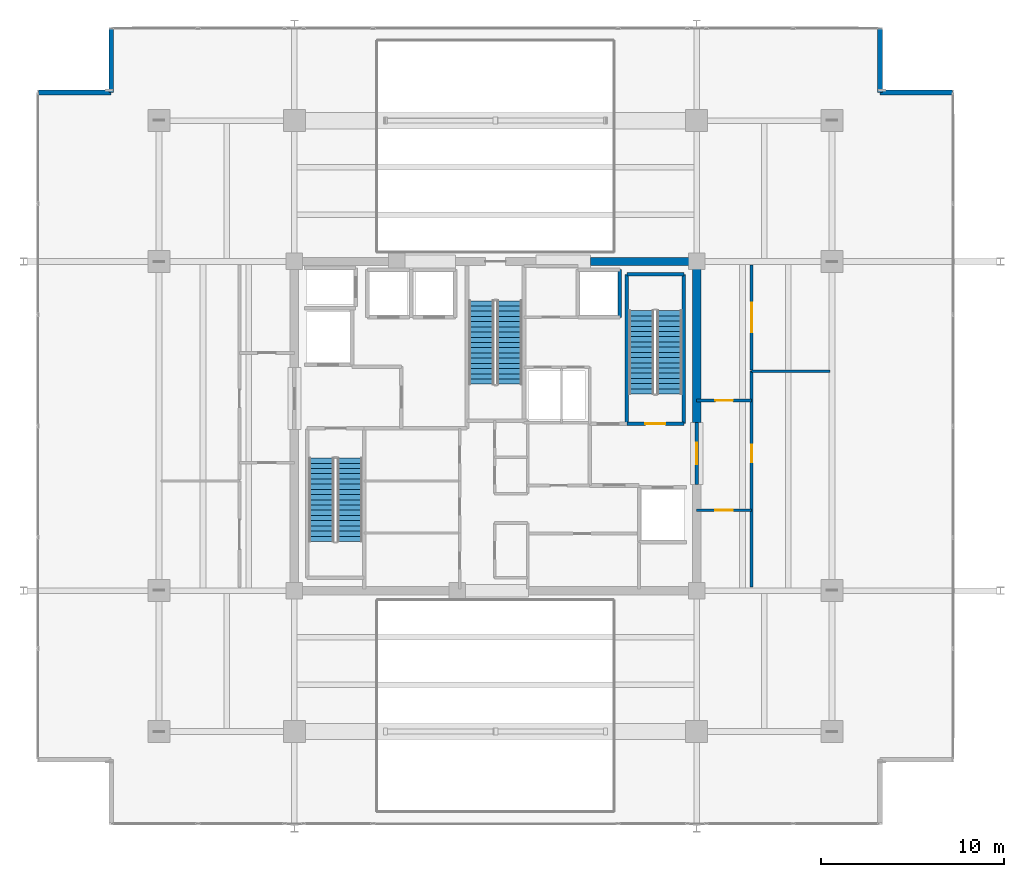
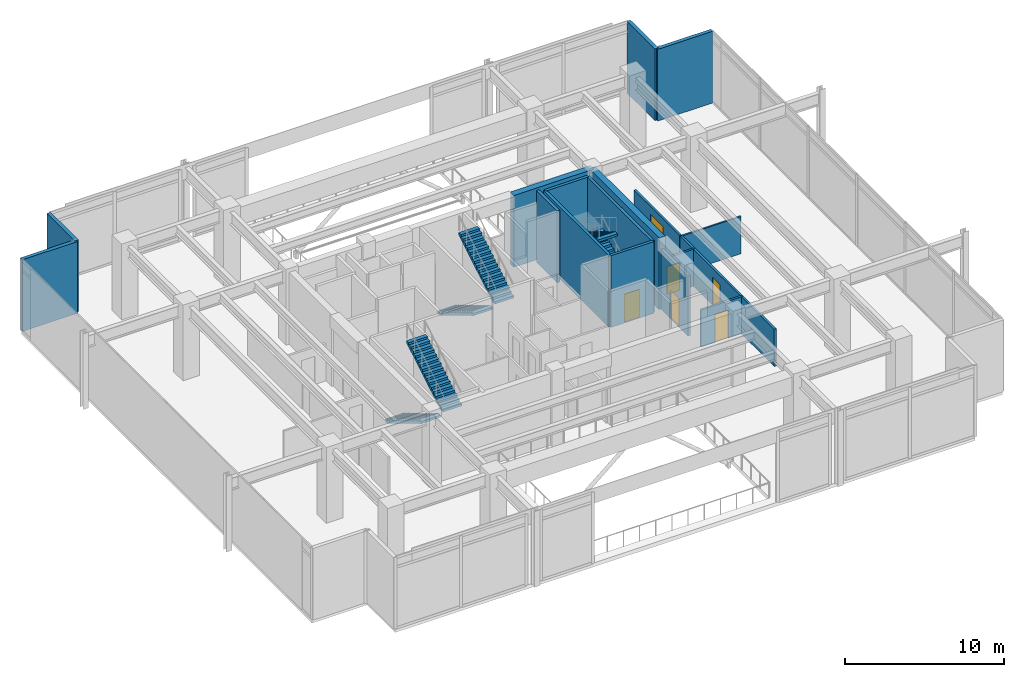
# One storey, part 23 of 25: 17 walls, 6 doors, 6 stair flights, 6 openings, 3 elements without a shape of their own.
"""IFC4 building model written with IfcOpenShell, lengths in metres."""

from ifc_helpers import new_model, si_unit, direction, frame, frame_2d, origin, place, context, subcontext, project, spatial, polyline, rectangle, outline, extrude, material, layer, layer_set, type_object, element, fill, aggregate, save


model = new_model("IFC4")

# Units and contexts
model_context = context("Model", 3, precision=1e-05, world=origin(), true_north=direction((0.0, 1.0)))
body_context = subcontext(model_context, "Body", "Model", "MODEL_VIEW")
ifc_project = project(units=[si_unit("LENGTHUNIT", "METRE"), si_unit("AREAUNIT", "SQUARE_METRE"), si_unit("VOLUMEUNIT", "CUBIC_METRE"), si_unit("PLANEANGLEUNIT", "RADIAN"), si_unit("MASSUNIT", "GRAM", prefix="KILO")], contexts=[model_context])

# Site, building, storey
site_placement = place(None, origin())
site = spatial("IfcSite", under=ifc_project, at=site_placement, CompositionType="ELEMENT")
building_placement = place(site_placement, origin())
building = spatial("IfcBuilding", under=site, at=building_placement, Name="Kovane Verandah Tower", CompositionType="ELEMENT")
storey_placement = place(building_placement, frame((0.0, 0.0, 295.199951171875)))
storey = spatial("IfcBuildingStorey", under=building, at=storey_placement, Name="L69", CompositionType="ELEMENT", Elevation=295.199951171875)

# Wall, opening, door
ifc_material_1 = material(Name="Fire-Rated Gypsum Stud Partition", Category="gypsum")
ifc_layer_1 = layer(ifc_material_1, 0.14990234375)
ifc_layer_set_1 = layer_set([ifc_layer_1], Name="Fire-Rated Gypsum Stud Partition")
wall_type_1 = type_object("IfcWallType", Name="WL-COR-150", PredefinedType="PARTITIONING", material=ifc_layer_set_1)
wall_1_placement = place(storey_placement, frame((51.0, 22.89990234375, 0.0), z_axis=(0.0, 0.0, 1.0), x_axis=(1.0, 0.0, 0.0)))
wall_1 = element("IfcWall", 1, at=wall_1_placement, inside=storey, type_object=wall_type_1, Name="L69 East Refuge Lobby South Fire Wall", PredefinedType="PARTITIONING", context=body_context, shape_type="SweptSolid", body=[
    extrude(rectangle(XDim=3.0, YDim=0.14990234375, at=frame_2d((1.5, 0.0))), origin(), (0.0, 0.0, 1.0), 2.85009765625),
])
opening_1_placement = place(wall_1_placement, frame((1.02490234375, 0.0, 0.0)))
opening_1 = element("IfcOpeningElement", 2, at=opening_1_placement, cuts=wall_1, Name="Opening DR-L69-007", PredefinedType="OPENING", context=body_context, shape_type="SweptSolid", body=[
    extrude(rectangle(XDim=0.949951171875, YDim=2.14990234375, at=frame_2d((0.47509765625, 1.074951171875))), frame((0.0, 0.074951171875, 0.0), z_axis=(0.0, -1.0, 0.0), x_axis=(1.0, 0.0, 0.0)), (0.0, 0.0, 1.0), 0.14990234375),
])
ifc_material_2 = material(Name="Fire-Rated Steel Refuge and Lobby Door", Category="steel")
door_type_1 = type_object("IfcDoorType", Name="DR-FIRE-950", OperationType="SINGLE_SWING_LEFT", PredefinedType="DOOR", material=ifc_material_2)
door_1_placement = place(opening_1_placement, origin())
door_1 = element("IfcDoor", 3, at=door_1_placement, inside=storey, type_object=door_type_1, Name="L69 East Refuge Lobby South Fire Door", OperationType="SINGLE_SWING_RIGHT", OverallHeight=2.14990234375, OverallWidth=0.949951171875, PredefinedType="DOOR", context=body_context, shape_type="SweptSolid", body=[
    extrude(rectangle(XDim=0.949951171875, YDim=2.14990234375, at=frame_2d((0.47509765625, 1.074951171875))), frame((0.0, 0.02490234375, 0.0), z_axis=(0.0, -1.0, 0.0), x_axis=(1.0, 0.0, 0.0)), (0.0, 0.0, 1.0), 0.050048828125),
])
fill(opening_1, door_1)

wall_2_placement = place(storey_placement, frame((51.0, 28.89990234375, 0.0), z_axis=(0.0, 0.0, 1.0), x_axis=(1.0, 0.0, 0.0)))
wall_2 = element("IfcWall", 4, at=wall_2_placement, inside=storey, type_object=wall_type_1, Name="L69 East Refuge Lobby North Fire Wall", PredefinedType="PARTITIONING", context=body_context, shape_type="SweptSolid", body=[
    extrude(rectangle(XDim=3.0, YDim=0.14990234375, at=frame_2d((1.5, 0.0))), origin(), (0.0, 0.0, 1.0), 2.85009765625),
])
opening_2_placement = place(wall_2_placement, frame((1.02490234375, 0.0, 0.0)))
opening_2 = element("IfcOpeningElement", 5, at=opening_2_placement, cuts=wall_2, Name="Opening DR-L69-006", PredefinedType="OPENING", context=body_context, shape_type="SweptSolid", body=[
    extrude(rectangle(XDim=0.949951171875, YDim=2.14990234375, at=frame_2d((0.47509765625, 1.074951171875))), frame((0.0, 0.074951171875, 0.0), z_axis=(0.0, -1.0, 0.0), x_axis=(1.0, 0.0, 0.0)), (0.0, 0.0, 1.0), 0.14990234375),
])
door_2_placement = place(opening_2_placement, origin())
door_2 = element("IfcDoor", 6, at=door_2_placement, inside=storey, type_object=door_type_1, Name="L69 East Refuge Lobby North Fire Door", OperationType="SINGLE_SWING_LEFT", OverallHeight=2.14990234375, OverallWidth=0.949951171875, PredefinedType="DOOR", context=body_context, shape_type="SweptSolid", body=[
    extrude(rectangle(XDim=0.949951171875, YDim=2.14990234375, at=frame_2d((0.47509765625, 1.074951171875))), frame((0.0, 0.02490234375, 0.0), z_axis=(0.0, -1.0, 0.0), x_axis=(1.0, 0.0, 0.0)), (0.0, 0.0, 1.0), 0.050048828125),
])
fill(opening_2, door_2)

wall_3_placement = place(storey_placement, frame((54.0, 18.699951171875, 0.0), z_axis=(0.0, 0.0, 1.0), x_axis=(0.0, 1.0, 0.0)))
wall_3 = element("IfcWall", 7, at=wall_3_placement, inside=storey, type_object=wall_type_1, Name="L69 Open-Sided Refuge Area East Corridor Partition", PredefinedType="PARTITIONING", context=body_context, shape_type="SweptSolid", body=[
    extrude(rectangle(XDim=11.800048828125, YDim=0.14990234375, at=frame_2d((5.89990234375, 0.0))), origin(), (0.0, 0.0, 1.0), 2.85009765625),
])
opening_3_placement = place(wall_3_placement, frame((6.824951171875, 0.0, 0.0)))
opening_3 = element("IfcOpeningElement", 8, at=opening_3_placement, cuts=wall_3, Name="Opening DR-L69-015", PredefinedType="OPENING", context=body_context, shape_type="SweptSolid", body=[
    extrude(rectangle(XDim=0.949951171875, YDim=2.14990234375, at=frame_2d((0.47509765625, 1.074951171875))), frame((0.0, 0.074951171875, 0.0), z_axis=(0.0, -1.0, 0.0), x_axis=(1.0, 0.0, 0.0)), (0.0, 0.0, 1.0), 0.14990234375),
])
door_3_placement = place(opening_3_placement, origin())
door_3 = element("IfcDoor", 9, at=door_3_placement, inside=storey, type_object=door_type_1, Name="L69 Open-Sided Refuge Area East Entrance Door", OperationType="SINGLE_SWING_RIGHT", OverallHeight=2.14990234375, OverallWidth=0.949951171875, PredefinedType="DOOR", context=body_context, shape_type="SweptSolid", body=[
    extrude(rectangle(XDim=0.949951171875, YDim=2.14990234375, at=frame_2d((0.47509765625, 1.074951171875))), frame((0.0, 0.02490234375, 0.0), z_axis=(0.0, -1.0, 0.0), x_axis=(1.0, 0.0, 0.0)), (0.0, 0.0, 1.0), 0.050048828125),
])
fill(opening_3, door_3)

wall_4_placement = place(storey_placement, frame((54.0, 30.570068359375, 0.0), z_axis=(0.0, 0.0, 1.0), x_axis=(0.0, 1.0, 0.0)))
wall_4 = element("IfcWall", 10, at=wall_4_placement, inside=storey, type_object=wall_type_1, Name="L69 Pressurisation Fan Plant Room East Corridor Partition", PredefinedType="PARTITIONING", context=body_context, shape_type="SweptSolid", body=[
    extrude(rectangle(XDim=5.72998046875, YDim=0.14990234375, at=frame_2d((2.864990234375, 0.0))), origin(), (0.0, 0.0, 1.0), 2.85009765625),
])
opening_4_placement = place(wall_4_placement, frame((2.06494140625, 0.0, 0.0)))
opening_4 = element("IfcOpeningElement", 11, at=opening_4_placement, cuts=wall_4, Name="Opening DR-L69-013", PredefinedType="OPENING", context=body_context, shape_type="SweptSolid", body=[
    extrude(rectangle(XDim=1.60009765625, YDim=2.25, at=frame_2d((0.800048828125, 1.125))), frame((0.0, 0.074951171875, 0.0), z_axis=(0.0, -1.0, 0.0), x_axis=(1.0, 0.0, 0.0)), (0.0, 0.0, 1.0), 0.14990234375),
])
ifc_material_3 = material(Name="Louvred Acoustic Steel Double Plant Door", Category="steel")
door_type_2 = type_object("IfcDoorType", Name="DR-PLANT-1600", OperationType="DOUBLE_DOOR_SINGLE_SWING", PredefinedType="DOOR", material=ifc_material_3)
door_4_placement = place(opening_4_placement, origin())
door_4 = element("IfcDoor", 12, at=door_4_placement, inside=storey, type_object=door_type_2, Name="L69 Pressurisation Fan Plant Room East Entrance Door", OperationType="DOUBLE_DOOR_SINGLE_SWING", OverallHeight=2.25, OverallWidth=1.60009765625, PredefinedType="DOOR", context=body_context, shape_type="SweptSolid", body=[
    extrude(rectangle(XDim=1.60009765625, YDim=2.25, at=frame_2d((0.800048828125, 1.125))), frame((0.0, 0.02490234375, 0.0), z_axis=(0.0, -1.0, 0.0), x_axis=(1.0, 0.0, 0.0)), (0.0, 0.0, 1.0), 0.050048828125),
])
fill(opening_4, door_4)

# Walls
ifc_material_4 = material(Name="Concrete C60/75", Category="concrete")
ifc_layer_2 = layer(ifc_material_4, 0.449951171875)
ifc_layer_set_2 = layer_set([ifc_layer_2], Name="Concrete C60/75")
wall_type_2 = type_object("IfcWallType", Name="WL-CORE-450", PredefinedType="SHEAR", material=ifc_layer_set_2)
wall_5_placement = place(storey_placement, frame((45.199951171875, 36.5, 0.0), z_axis=(0.0, 0.0, 1.0), x_axis=(1.0, 0.0, 0.0)))
element("IfcWall", 13, at=wall_5_placement, inside=storey, type_object=wall_type_2, Name="L69 Core Shear Wall CN-3", PredefinedType="SHEAR", context=body_context, shape_type="SweptSolid", body=[
    extrude(rectangle(XDim=5.800048828125, YDim=0.449951171875, at=frame_2d((2.89990234375, 0.0))), origin(), (0.0, 0.0, 1.0), 5.5),
])
wall_6_placement = place(storey_placement, frame((51.0, 27.699951171875, 0.0), z_axis=(0.0, 0.0, 1.0), x_axis=(0.0, 1.0, 0.0)))
element("IfcWall", 14, at=wall_6_placement, inside=storey, type_object=wall_type_2, Name="L69 Core Shear Wall CE-2", PredefinedType="SHEAR", context=body_context, shape_type="SweptSolid", body=[
    extrude(rectangle(XDim=8.800048828125, YDim=0.449951171875, at=frame_2d((4.39990234375, 0.0))), origin(), (0.0, 0.0, 1.0), 5.5),
])

# Wall, opening, door
ifc_material_5 = material(Name="Concrete C45/55 Fire Wall", Category="concrete")
ifc_layer_3 = layer(ifc_material_5, 0.199951171875)
ifc_layer_set_3 = layer_set([ifc_layer_3], Name="Concrete C45/55 Fire Wall")
wall_type_3 = type_object("IfcWallType", Name="WL-FFL-200", PredefinedType="PARTITIONING", material=ifc_layer_set_3)
wall_7_placement = place(storey_placement, frame((51.0, 24.300048828125, 0.0), z_axis=(0.0, 0.0, 1.0), x_axis=(0.0, 1.0, 0.0)))
wall_7 = element("IfcWall", 15, at=wall_7_placement, inside=storey, type_object=wall_type_3, Name="W-L69-FFLE-OUT", PredefinedType="PARTITIONING", context=body_context, shape_type="SweptSolid", body=[
    extrude(rectangle(XDim=3.39990234375, YDim=0.199951171875, at=frame_2d((1.699951171875, 0.0))), origin(), (0.0, 0.0, 1.0), 4.580078125),
])
opening_5_placement = place(wall_7_placement, frame((1.125, 0.0, 0.0)))
opening_5 = element("IfcOpeningElement", 16, at=opening_5_placement, cuts=wall_7, Name="Opening DR-L69-003", PredefinedType="OPENING", context=body_context, shape_type="SweptSolid", body=[
    extrude(rectangle(XDim=1.14990234375, YDim=2.199951171875, at=frame_2d((0.574951171875, 1.10009765625))), frame((0.0, 0.10009765625, 0.0), z_axis=(0.0, -1.0, 0.0), x_axis=(1.0, 0.0, 0.0)), (0.0, 0.0, 1.0), 0.199951171875),
])
ifc_material_6 = material(Name="Smoke-Sealed Firefighting Lobby Door", Category="steel")
door_type_3 = type_object("IfcDoorType", Name="DR-FFL-1150", OperationType="SINGLE_SWING_LEFT", PredefinedType="DOOR", material=ifc_material_6)
door_5_placement = place(opening_5_placement, origin())
door_5 = element("IfcDoor", 17, at=door_5_placement, inside=storey, type_object=door_type_3, Name="L69 East Firefighting Lobby Corridor Door", OperationType="SINGLE_SWING_LEFT", OverallHeight=2.199951171875, OverallWidth=1.14990234375, PredefinedType="DOOR", context=body_context, shape_type="SweptSolid", body=[
    extrude(rectangle(XDim=1.14990234375, YDim=2.199951171875, at=frame_2d((0.574951171875, 1.10009765625))), frame((0.0, 0.02490234375, 0.0), z_axis=(0.0, -1.0, 0.0), x_axis=(1.0, 0.0, 0.0)), (0.0, 0.0, 1.0), 0.050048828125),
])
fill(opening_5, door_5)

# Walls
ifc_material_7 = material(Name="Concrete C45/55 Lift Shaft Wall", Category="concrete")
ifc_layer_4 = layer(ifc_material_7, 0.199951171875)
ifc_layer_set_4 = layer_set([ifc_layer_4], Name="Concrete C45/55 Lift Shaft Wall")
wall_type_4 = type_object("IfcWallType", Name="WL-LIFT-200", PredefinedType="SOLIDWALL", material=ifc_layer_set_4)
wall_8_placement = place(storey_placement, frame((46.800048828125, 33.449951171875, 0.0), z_axis=(0.0, 0.0, 1.0), x_axis=(0.0, 1.0, 0.0)))
element("IfcWall", 18, at=wall_8_placement, inside=storey, type_object=wall_type_4, Name="L69 Lift OL-01 E Shaft Wall", PredefinedType="SOLIDWALL", context=body_context, shape_type="SweptSolid", body=[
    extrude(rectangle(XDim=2.60009765625, YDim=0.199951171875, at=frame_2d((1.300048828125, 0.0))), origin(), (0.0, 0.0, 1.0), 5.5),
])
ifc_material_8 = material(Name="Acoustic Fire-Rated Gypsum Partition", Category="gypsum")
ifc_layer_5 = layer(ifc_material_8, 0.1201171875)
ifc_layer_set_5 = layer_set([ifc_layer_5], Name="Acoustic Fire-Rated Gypsum Partition")
wall_type_5 = type_object("IfcWallType", Name="WL-PART-120", PredefinedType="PARTITIONING", material=ifc_layer_set_5)
wall_9_placement = place(storey_placement, frame((54.0, 30.5, 0.0), z_axis=(0.0, 0.0, 1.0), x_axis=(1.0, 0.0, 0.0)))
element("IfcWall", 19, at=wall_9_placement, inside=storey, type_object=wall_type_5, Name="L69 Open-Sided Refuge Area East Dividing Partition", PredefinedType="PARTITIONING", context=body_context, shape_type="SweptSolid", body=[
    extrude(rectangle(XDim=4.300048828125, YDim=0.1201171875, at=frame_2d((2.14990234375, 0.0))), origin(), (0.0, 0.0, 1.0), 2.85009765625),
])
ifc_material_9 = material(Name="Concrete C45/55", Category="concrete")
ifc_layer_6 = layer(ifc_material_9, 0.199951171875)
ifc_layer_set_6 = layer_set([ifc_layer_6], Name="Concrete C45/55")
wall_type_6 = type_object("IfcWallType", Name="WL-SHAFT-200", PredefinedType="SOLIDWALL", material=ifc_layer_set_6)
wall_10_placement = place(storey_placement, frame((50.300048828125, 27.64990234375, 0.0), z_axis=(0.0, 0.0, 1.0), x_axis=(0.0, 1.0, 0.0)))
element("IfcWall", 20, at=wall_10_placement, inside=storey, type_object=wall_type_6, Name="W-L69-ST02-E", PredefinedType="SOLIDWALL", context=body_context, shape_type="SweptSolid", body=[
    extrude(rectangle(XDim=8.150146484375, YDim=0.199951171875, at=frame_2d((4.0751953125, 0.0))), origin(), (0.0, 0.0, 1.0), 5.5),
])
wall_11_placement = place(storey_placement, frame((47.179931640625, 35.800048828125, 0.0), z_axis=(0.0, 0.0, 1.0), x_axis=(1.0, 0.0, 0.0)))
element("IfcWall", 21, at=wall_11_placement, inside=storey, type_object=wall_type_6, Name="W-L69-ST02-N", PredefinedType="SOLIDWALL", context=body_context, shape_type="SweptSolid", body=[
    extrude(rectangle(XDim=3.1201171875, YDim=0.199951171875, at=frame_2d((1.56005859375, 0.0))), origin(), (0.0, 0.0, 1.0), 5.5),
])
wall_12_placement = place(storey_placement, frame((47.179931640625, 27.6201171875, 0.0), z_axis=(0.0, 0.0, 1.0), x_axis=(0.0, 1.0, 0.0)))
element("IfcWall", 22, at=wall_12_placement, inside=storey, type_object=wall_type_6, Name="W-L69-ST02-W", PredefinedType="SOLIDWALL", context=body_context, shape_type="SweptSolid", body=[
    extrude(rectangle(XDim=8.179931640625, YDim=0.199951171875, at=frame_2d((4.08984375, 0.0))), origin(), (0.0, 0.0, 1.0), 5.5),
])

# Wall, opening, door
wall_13_placement = place(storey_placement, frame((47.179931640625, 27.6201171875, 0.0), z_axis=(0.0, 0.0, 1.0), x_axis=(1.0, 0.0, 0.0)))
wall_13 = element("IfcWall", 23, at=wall_13_placement, inside=storey, type_object=wall_type_6, Name="W-L69-ST02-S", PredefinedType="SOLIDWALL", context=body_context, shape_type="SweptSolid", body=[
    extrude(rectangle(XDim=3.1201171875, YDim=0.199951171875, at=frame_2d((1.56005859375, 0.0))), origin(), (0.0, 0.0, 1.0), 5.5),
])
opening_6_placement = place(wall_13_placement, frame((1.010009765625, 0.0, 0.0)))
opening_6 = element("IfcOpeningElement", 24, at=opening_6_placement, cuts=wall_13, Name="Opening DR-L69-011", PredefinedType="OPENING", context=body_context, shape_type="SweptSolid", body=[
    extrude(rectangle(XDim=1.10009765625, YDim=2.14990234375, at=frame_2d((0.550048828125, 1.074951171875))), frame((0.0, 0.10009765625, 0.0), z_axis=(0.0, -1.0, 0.0), x_axis=(1.0, 0.0, 0.0)), (0.0, 0.0, 1.0), 0.199951171875),
])
ifc_material_10 = material(Name="Fire-Rated Steel Exit Door", Category="steel")
door_type_4 = type_object("IfcDoorType", Name="DR-STAIR-1100", OperationType="SINGLE_SWING_LEFT", PredefinedType="DOOR", material=ifc_material_10)
door_6_placement = place(opening_6_placement, origin())
door_6 = element("IfcDoor", 25, at=door_6_placement, inside=storey, type_object=door_type_4, Name="L69 ST-02 Fire Exit Stair Door", OperationType="SINGLE_SWING_LEFT", OverallHeight=2.14990234375, OverallWidth=1.10009765625, PredefinedType="DOOR", context=body_context, shape_type="SweptSolid", body=[
    extrude(rectangle(XDim=1.10009765625, YDim=2.14990234375, at=frame_2d((0.550048828125, 1.074951171875))), frame((0.0, 0.02490234375, 0.0), z_axis=(0.0, -1.0, 0.0), x_axis=(1.0, 0.0, 0.0)), (0.0, 0.0, 1.0), 0.050048828125),
])
fill(opening_6, door_6)

# Walls
ifc_material_11 = material(Name="Concrete C45/55 Insulated Spandrel Wall", Category="concrete")
ifc_layer_7 = layer(ifc_material_11, 0.260009765625)
ifc_layer_set_7 = layer_set([ifc_layer_7], Name="Concrete C45/55 Insulated Spandrel Wall")
wall_type_7 = type_object("IfcWallType", Name="WL-SPANDREL-260", PredefinedType="PARAPET", material=ifc_layer_set_7)
wall_14_placement = place(storey_placement, frame((65.017822265625, 45.74169921875, 0.0), z_axis=(0.0, 0.0, 1.0), x_axis=(-1.0, 0.0, 0.0)))
element("IfcWall", 26, at=wall_14_placement, inside=storey, type_object=wall_type_7, Name="L69 NE Notch Cheek Wall 1", PredefinedType="PARAPET", context=body_context, shape_type="SweptSolid", body=[
    extrude(rectangle(XDim=4.0, YDim=0.260009765625, at=frame_2d((2.0, 0.0))), origin(), (0.0, 0.0, 1.0), 5.5),
])
for number, where, z_axis, x_axis, name in (
    (27, (61.017822265625, 45.74169921875, 0.0), (0.0, 0.0, 1.0), (0.0, 1.0, 0.0), "L69 NE Notch Cheek Wall 2"),
    (28, (18.982177734375, 49.24169921875, 0.0), (0.0, 0.0, 1.0), (0.0, -1.0, 0.0), "L69 NW Notch Cheek Wall 1"),
):
    element("IfcWall", number, at=place(storey_placement, frame(where, z_axis=z_axis, x_axis=x_axis)), inside=storey, type_object=wall_type_7, Name=name, PredefinedType="PARAPET", context=body_context, shape_type="SweptSolid", body=[
        extrude(rectangle(XDim=3.5, YDim=0.260009765625, at=frame_2d((1.75, 0.0))), origin(), (0.0, 0.0, 1.0), 5.5),
    ])
wall_15_placement = place(storey_placement, frame((18.982177734375, 45.74169921875, 0.0), z_axis=(0.0, 0.0, 1.0), x_axis=(-1.0, 0.0, 0.0)))
element("IfcWall", 29, at=wall_15_placement, inside=storey, type_object=wall_type_7, Name="L69 NW Notch Cheek Wall 2", PredefinedType="PARAPET", context=body_context, shape_type="SweptSolid", body=[
    extrude(rectangle(XDim=4.0, YDim=0.260009765625, at=frame_2d((2.0, 0.0))), origin(), (0.0, 0.0, 1.0), 5.5),
])

# Stair, stair flights
stair_type = type_object("IfcStairType", Name="ST-CORE-1380", PredefinedType="HALF_TURN_STAIR", material=ifc_material_9)
stair_1_placement = place(storey_placement, origin())
stair_1 = element("IfcStair", 30, at=stair_1_placement, inside=storey, type_object=stair_type, Name="L69 Exit Stair ST-01", PredefinedType="HALF_TURN_STAIR")
stair_flight_type = type_object("IfcStairFlightType", Name="STF-CORE-1380", PredefinedType="STRAIGHT", material=ifc_material_9)
stair_flight_1_placement = place(storey_placement, frame((30.489990234375, 25.75, 0.0), z_axis=(0.0, 0.0, 1.0), x_axis=(0.0, -1.0, 0.0)))
stair_flight_1 = element("IfcStairFlight", 31, at=stair_flight_1_placement, type_object=stair_flight_type, Name="ST-01 flight 1", NumberOfRisers=17, NumberOfTreads=16, PredefinedType="STRAIGHT", RiserHeight=0.170588235, TreadLength=0.285, context=body_context, shape_type="SweptSolid", body=[
    extrude(outline(polyline([(0.0, 0.0), (0.0, 0.170654296875), (0.284912109375, 0.170654296875), (0.284912109375, 0.341064453125), (0.570068359375, 0.341064453125), (0.570068359375, 0.51171875), (0.85498046875, 0.51171875), (0.85498046875, 0.682373046875), (1.139892578125, 0.682373046875), (1.139892578125, 0.85302734375), (1.425048828125, 0.85302734375), (1.425048828125, 1.0234375), (1.7099609375, 1.0234375), (1.7099609375, 1.194091796875), (1.9951171875, 1.194091796875), (1.9951171875, 1.36474609375), (2.280029296875, 1.36474609375), (2.280029296875, 1.535400390625), (2.56494140625, 1.535400390625), (2.56494140625, 1.705810546875), (2.85009765625, 1.705810546875), (2.85009765625, 1.87646484375), (3.135009765625, 1.87646484375), (3.135009765625, 2.047119140625), (3.419921875, 2.047119140625), (3.419921875, 2.217529296875), (3.705078125, 2.217529296875), (3.705078125, 2.38818359375), (3.989990234375, 2.38818359375), (3.989990234375, 2.558837890625), (4.27490234375, 2.558837890625), (4.27490234375, 2.7294921875), (4.56005859375, 2.7294921875), (4.56005859375, 2.89990234375), (4.56005859375, 2.5546875), (0.2919921875, 0.0), (0.0, 0.0)])), frame((0.0, 0.68994140625, 0.0), z_axis=(0.0, -1.0, 0.0), x_axis=(1.0, 0.0, 0.0)), (0.0, 0.0, 1.0), 1.3798828125),
])
stair_flight_2_placement = place(storey_placement, frame((32.030029296875, 21.18994140625, 2.900146484375), z_axis=(0.0, 0.0, 1.0), x_axis=(0.0, 1.0, 0.0)))
stair_flight_2 = element("IfcStairFlight", 32, at=stair_flight_2_placement, type_object=stair_flight_type, Name="ST-01 flight 2", NumberOfRisers=17, NumberOfTreads=16, PredefinedType="STRAIGHT", RiserHeight=0.170588235, TreadLength=0.285, context=body_context, shape_type="SweptSolid", body=[
    extrude(outline(polyline([(0.0, 0.0), (0.0, 0.170654296875), (0.284912109375, 0.170654296875), (0.284912109375, 0.341064453125), (0.570068359375, 0.341064453125), (0.570068359375, 0.51171875), (0.85498046875, 0.51171875), (0.85498046875, 0.682373046875), (1.139892578125, 0.682373046875), (1.139892578125, 0.85302734375), (1.425048828125, 0.85302734375), (1.425048828125, 1.0234375), (1.7099609375, 1.0234375), (1.7099609375, 1.194091796875), (1.9951171875, 1.194091796875), (1.9951171875, 1.36474609375), (2.280029296875, 1.36474609375), (2.280029296875, 1.535400390625), (2.56494140625, 1.535400390625), (2.56494140625, 1.705810546875), (2.85009765625, 1.705810546875), (2.85009765625, 1.87646484375), (3.135009765625, 1.87646484375), (3.135009765625, 2.047119140625), (3.419921875, 2.047119140625), (3.419921875, 2.217529296875), (3.705078125, 2.217529296875), (3.705078125, 2.38818359375), (3.989990234375, 2.38818359375), (3.989990234375, 2.558837890625), (4.27490234375, 2.558837890625), (4.27490234375, 2.7294921875), (4.56005859375, 2.7294921875), (4.56005859375, 2.89990234375), (4.56005859375, 2.5546875), (0.2919921875, 0.0), (0.0, 0.0)])), frame((0.0, 0.68994140625, 0.0), z_axis=(0.0, -1.0, 0.0), x_axis=(1.0, 0.0, 0.0)), (0.0, 0.0, 1.0), 1.3798828125),
])
aggregate(stair_1, [stair_flight_1, stair_flight_2])

stair_2_placement = place(storey_placement, origin())
stair_2 = element("IfcStair", 33, at=stair_2_placement, inside=storey, type_object=stair_type, Name="L69 Exit Stair ST-02", PredefinedType="HALF_TURN_STAIR")
stair_flight_3_placement = place(storey_placement, frame((49.510009765625, 29.25, 0.0), z_axis=(0.0, 0.0, 1.0), x_axis=(0.0, 1.0, 0.0)))
stair_flight_3 = element("IfcStairFlight", 34, at=stair_flight_3_placement, type_object=stair_flight_type, Name="ST-02 flight 1", NumberOfRisers=17, NumberOfTreads=16, PredefinedType="STRAIGHT", RiserHeight=0.170588235, TreadLength=0.285, context=body_context, shape_type="SweptSolid", body=[
    extrude(outline(polyline([(0.0, 0.0), (0.0, 0.170654296875), (0.284912109375, 0.170654296875), (0.284912109375, 0.341064453125), (0.570068359375, 0.341064453125), (0.570068359375, 0.51171875), (0.85498046875, 0.51171875), (0.85498046875, 0.682373046875), (1.139892578125, 0.682373046875), (1.139892578125, 0.85302734375), (1.425048828125, 0.85302734375), (1.425048828125, 1.0234375), (1.7099609375, 1.0234375), (1.7099609375, 1.194091796875), (1.9951171875, 1.194091796875), (1.9951171875, 1.36474609375), (2.280029296875, 1.36474609375), (2.280029296875, 1.535400390625), (2.56494140625, 1.535400390625), (2.56494140625, 1.705810546875), (2.85009765625, 1.705810546875), (2.85009765625, 1.87646484375), (3.135009765625, 1.87646484375), (3.135009765625, 2.047119140625), (3.419921875, 2.047119140625), (3.419921875, 2.217529296875), (3.705078125, 2.217529296875), (3.705078125, 2.38818359375), (3.989990234375, 2.38818359375), (3.989990234375, 2.558837890625), (4.27490234375, 2.558837890625), (4.27490234375, 2.7294921875), (4.56005859375, 2.7294921875), (4.56005859375, 2.89990234375), (4.56005859375, 2.5546875), (0.2919921875, 0.0), (0.0, 0.0)])), frame((0.0, 0.68994140625, 0.0), z_axis=(0.0, -1.0, 0.0), x_axis=(1.0, 0.0, 0.0)), (0.0, 0.0, 1.0), 1.3798828125),
])
stair_flight_4_placement = place(storey_placement, frame((47.969970703125, 33.81005859375, 2.900146484375), z_axis=(0.0, 0.0, 1.0), x_axis=(0.0, -1.0, 0.0)))
stair_flight_4 = element("IfcStairFlight", 35, at=stair_flight_4_placement, type_object=stair_flight_type, Name="ST-02 flight 2", NumberOfRisers=17, NumberOfTreads=16, PredefinedType="STRAIGHT", RiserHeight=0.170588235, TreadLength=0.285, context=body_context, shape_type="SweptSolid", body=[
    extrude(outline(polyline([(0.0, 0.0), (0.0, 0.170654296875), (0.284912109375, 0.170654296875), (0.284912109375, 0.341064453125), (0.570068359375, 0.341064453125), (0.570068359375, 0.51171875), (0.85498046875, 0.51171875), (0.85498046875, 0.682373046875), (1.139892578125, 0.682373046875), (1.139892578125, 0.85302734375), (1.425048828125, 0.85302734375), (1.425048828125, 1.0234375), (1.7099609375, 1.0234375), (1.7099609375, 1.194091796875), (1.9951171875, 1.194091796875), (1.9951171875, 1.36474609375), (2.280029296875, 1.36474609375), (2.280029296875, 1.535400390625), (2.56494140625, 1.535400390625), (2.56494140625, 1.705810546875), (2.85009765625, 1.705810546875), (2.85009765625, 1.87646484375), (3.135009765625, 1.87646484375), (3.135009765625, 2.047119140625), (3.419921875, 2.047119140625), (3.419921875, 2.217529296875), (3.705078125, 2.217529296875), (3.705078125, 2.38818359375), (3.989990234375, 2.38818359375), (3.989990234375, 2.558837890625), (4.27490234375, 2.558837890625), (4.27490234375, 2.7294921875), (4.56005859375, 2.7294921875), (4.56005859375, 2.89990234375), (4.56005859375, 2.5546875), (0.2919921875, 0.0), (0.0, 0.0)])), frame((0.0, 0.68994140625, 0.0), z_axis=(0.0, -1.0, 0.0), x_axis=(1.0, 0.0, 0.0)), (0.0, 0.0, 1.0), 1.3798828125),
])
aggregate(stair_2, [stair_flight_3, stair_flight_4])

stair_3_placement = place(storey_placement, origin())
stair_3 = element("IfcStair", 36, at=stair_3_placement, inside=storey, type_object=stair_type, Name="L69 Exit Stair ST-03", PredefinedType="HALF_TURN_STAIR")
stair_flight_5_placement = place(storey_placement, frame((39.22998046875, 34.35009765625, 0.0), z_axis=(0.0, 0.0, 1.0), x_axis=(0.0, -1.0, 0.0)))
stair_flight_5 = element("IfcStairFlight", 37, at=stair_flight_5_placement, type_object=stair_flight_type, Name="ST-03 flight 1", NumberOfRisers=17, NumberOfTreads=16, PredefinedType="STRAIGHT", RiserHeight=0.170588235, TreadLength=0.285, context=body_context, shape_type="SweptSolid", body=[
    extrude(outline(polyline([(0.0, 0.0), (0.0, 0.170654296875), (0.284912109375, 0.170654296875), (0.284912109375, 0.341064453125), (0.570068359375, 0.341064453125), (0.570068359375, 0.51171875), (0.85498046875, 0.51171875), (0.85498046875, 0.682373046875), (1.139892578125, 0.682373046875), (1.139892578125, 0.85302734375), (1.425048828125, 0.85302734375), (1.425048828125, 1.0234375), (1.7099609375, 1.0234375), (1.7099609375, 1.194091796875), (1.9951171875, 1.194091796875), (1.9951171875, 1.36474609375), (2.280029296875, 1.36474609375), (2.280029296875, 1.535400390625), (2.56494140625, 1.535400390625), (2.56494140625, 1.705810546875), (2.85009765625, 1.705810546875), (2.85009765625, 1.87646484375), (3.135009765625, 1.87646484375), (3.135009765625, 2.047119140625), (3.419921875, 2.047119140625), (3.419921875, 2.217529296875), (3.705078125, 2.217529296875), (3.705078125, 2.38818359375), (3.989990234375, 2.38818359375), (3.989990234375, 2.558837890625), (4.27490234375, 2.558837890625), (4.27490234375, 2.7294921875), (4.56005859375, 2.7294921875), (4.56005859375, 2.89990234375), (4.56005859375, 2.5546875), (0.2919921875, 0.0), (0.0, 0.0)])), frame((0.0, 0.68994140625, 0.0), z_axis=(0.0, -1.0, 0.0), x_axis=(1.0, 0.0, 0.0)), (0.0, 0.0, 1.0), 1.3798828125),
])
stair_flight_6_placement = place(storey_placement, frame((40.77001953125, 29.7900390625, 2.900146484375), z_axis=(0.0, 0.0, 1.0), x_axis=(0.0, 1.0, 0.0)))
stair_flight_6 = element("IfcStairFlight", 38, at=stair_flight_6_placement, type_object=stair_flight_type, Name="ST-03 flight 2", NumberOfRisers=17, NumberOfTreads=16, PredefinedType="STRAIGHT", RiserHeight=0.170588235, TreadLength=0.285, context=body_context, shape_type="SweptSolid", body=[
    extrude(outline(polyline([(0.0, 0.0), (0.0, 0.170654296875), (0.284912109375, 0.170654296875), (0.284912109375, 0.341064453125), (0.570068359375, 0.341064453125), (0.570068359375, 0.51171875), (0.85498046875, 0.51171875), (0.85498046875, 0.682373046875), (1.139892578125, 0.682373046875), (1.139892578125, 0.85302734375), (1.425048828125, 0.85302734375), (1.425048828125, 1.0234375), (1.7099609375, 1.0234375), (1.7099609375, 1.194091796875), (1.9951171875, 1.194091796875), (1.9951171875, 1.36474609375), (2.280029296875, 1.36474609375), (2.280029296875, 1.535400390625), (2.56494140625, 1.535400390625), (2.56494140625, 1.705810546875), (2.85009765625, 1.705810546875), (2.85009765625, 1.87646484375), (3.135009765625, 1.87646484375), (3.135009765625, 2.047119140625), (3.419921875, 2.047119140625), (3.419921875, 2.217529296875), (3.705078125, 2.217529296875), (3.705078125, 2.38818359375), (3.989990234375, 2.38818359375), (3.989990234375, 2.558837890625), (4.27490234375, 2.558837890625), (4.27490234375, 2.7294921875), (4.56005859375, 2.7294921875), (4.56005859375, 2.89990234375), (4.56005859375, 2.5546875), (0.2919921875, 0.0), (0.0, 0.0)])), frame((0.0, 0.68994140625, 0.0), z_axis=(0.0, -1.0, 0.0), x_axis=(1.0, 0.0, 0.0)), (0.0, 0.0, 1.0), 1.3798828125),
])
aggregate(stair_3, [stair_flight_5, stair_flight_6])

save(model, "model.ifc")
